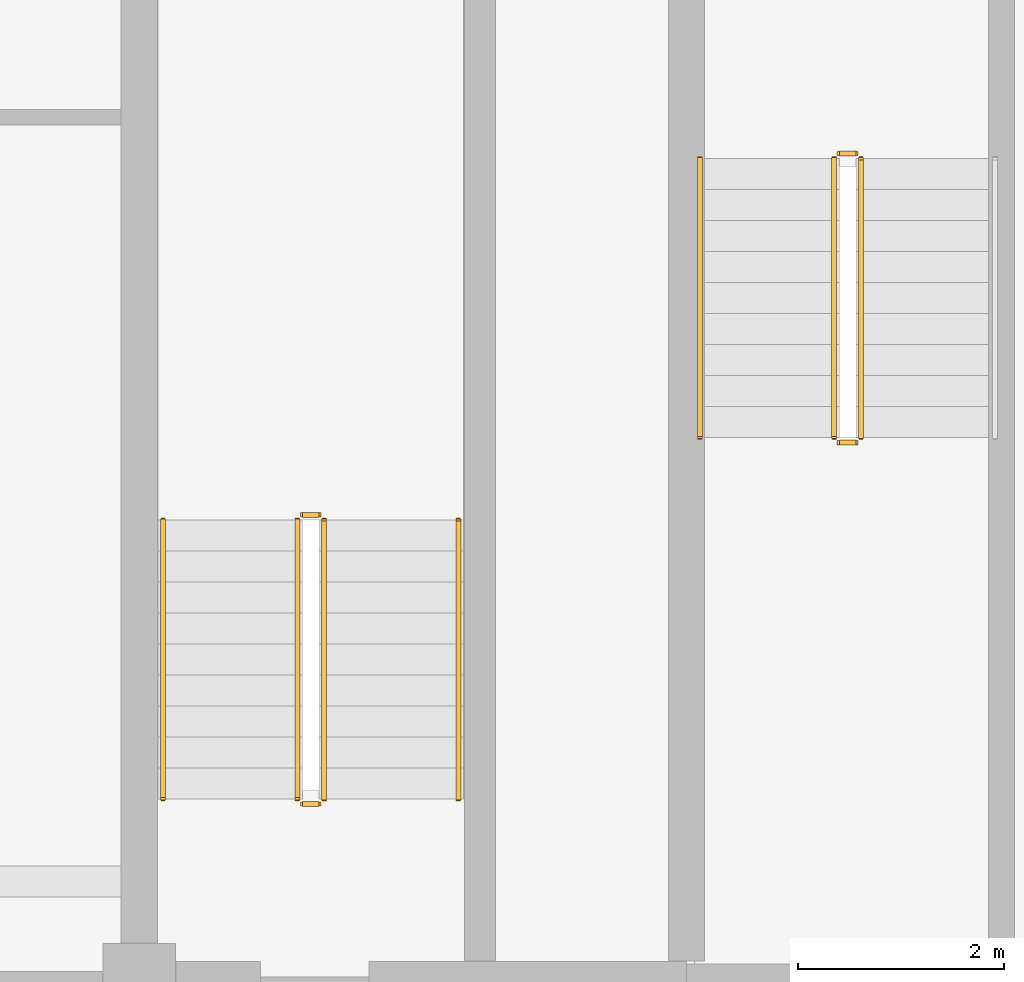
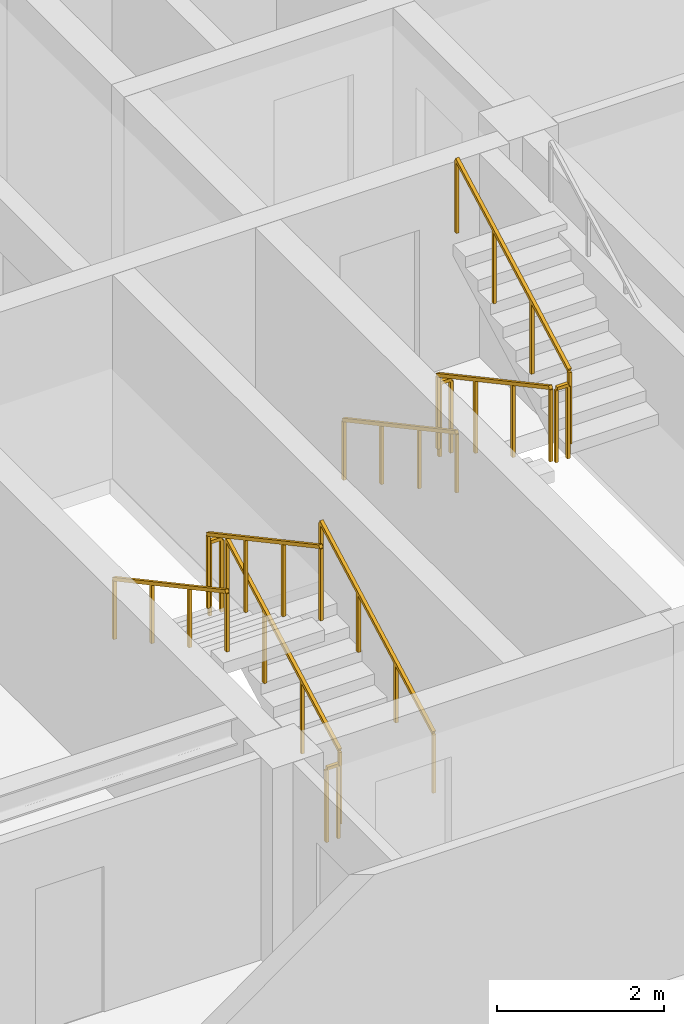
# One storey, part 8 of 11: 11 railings.
"""IFC4 building model written with IfcOpenShell, lengths in metres."""

import ifcopenshell
import ifcopenshell.guid

model = None  # the IFC model being written
_history = None  # IfcOwnerHistory: only IFC2X3 demands one
_inside = {}  # id of a spatial element -> (the spatial element, [elements in it])
_under = {}  # id of a project, library or spatial element -> (it, [spatial elements below it])
_declared = {}  # id of a project -> (the project, [libraries it declares])
_typed = {}  # id of a type object -> (the type object, [elements of that type])
_made_of = {}  # id of a material, layer set ... -> (it, [elements and type objects made of it])


def new_model(schema):
    """Start an empty IFC model of exactly this schema.

    Asked for "IFC4X3", IfcOpenShell would pick the latest addendum, in which some entities
    have other attributes; the version numbers below select the first issue.
    IFC2X3 requires an IfcOwnerHistory on every rooted entity: one is made here for all.
    """
    global model, _history
    if schema == "IFC4X3":
        model = ifcopenshell.file(schema_version=(4, 3, 0, 0))
    else:
        model = ifcopenshell.file(schema=schema)
    _inside.clear()
    _under.clear()
    _declared.clear()
    _typed.clear()
    _made_of.clear()
    _history = None
    if model.schema == "IFC2X3":
        org = make("IfcOrganization", Name="unknown")
        user = make(
            "IfcPersonAndOrganization",
            ThePerson=make("IfcPerson", FamilyName="unknown"),
            TheOrganization=org,
        )
        app = make(
            "IfcApplication",
            ApplicationDeveloper=org,
            Version="unknown",
            ApplicationFullName="unknown",
            ApplicationIdentifier="unknown",
        )
        _history = make(
            "IfcOwnerHistory",
            OwningUser=user,
            OwningApplication=app,
            ChangeAction="ADDED",
            CreationDate=0,
        )
    return model


def make(cls, **values):
    """One entity of the class cls with the attributes given. An attribute that is None is left unset."""
    return model.create_entity(
        cls, **{name: value for name, value in values.items() if value is not None}
    )


def rooted(cls, **values):
    """An entity with a GlobalId (a new one), such as an element, a storey or a relation."""
    return make(cls, GlobalId=ifcopenshell.guid.new(), OwnerHistory=_history, **values)


def si_unit(unit_type, name, prefix=None):
    """IfcSIUnit, for example si_unit("LENGTHUNIT", "METRE", prefix="MILLI")."""
    return make("IfcSIUnit", UnitType=unit_type, Prefix=prefix, Name=name)


def assignment(units):
    """IfcUnitAssignment: the units of a project."""
    return None if units is None else make("IfcUnitAssignment", Units=units)


def point(xyz):
    """IfcCartesianPoint."""
    return None if xyz is None else make("IfcCartesianPoint", Coordinates=xyz)


def direction(xyz):
    """IfcDirection."""
    return None if xyz is None else make("IfcDirection", DirectionRatios=xyz)


def frame(location, z_axis=None, x_axis=None):
    """IfcAxis2Placement3D, a coordinate frame: its origin and axes. An axis left out is left unset."""
    return make(
        "IfcAxis2Placement3D",
        Location=point(location),
        Axis=direction(z_axis),
        RefDirection=direction(x_axis),
    )


def frame_2d(location, x_axis=None):
    """IfcAxis2Placement2D, a coordinate frame in the plane: its origin and x axis."""
    return make(
        "IfcAxis2Placement2D", Location=point(location), RefDirection=direction(x_axis)
    )


def origin():
    """The frame at (0, 0, 0) with its axes left unset."""
    return frame((0.0, 0.0, 0.0))


def origin_2d():
    """The frame at (0, 0) in the plane with its x axis left unset."""
    return frame_2d((0.0, 0.0))


def place(relative_to, where):
    """IfcLocalPlacement: puts the frame where relative to a parent placement (None: the world)."""
    return make(
        "IfcLocalPlacement", PlacementRelTo=relative_to, RelativePlacement=where
    )


def context(
    kind, dimensions, precision=None, world=None, true_north=None, identifier=None
):
    """IfcGeometricRepresentationContext, for example the 3D "Model" context."""
    return make(
        "IfcGeometricRepresentationContext",
        ContextIdentifier=identifier,
        ContextType=kind,
        CoordinateSpaceDimension=dimensions,
        Precision=precision,
        WorldCoordinateSystem=world,
        TrueNorth=true_north,
    )


def subcontext(parent, identifier, kind, view, scale=None):
    """IfcGeometricRepresentationSubContext, for example "Body" below "Model"."""
    return make(
        "IfcGeometricRepresentationSubContext",
        ContextIdentifier=identifier,
        ContextType=kind,
        ParentContext=parent,
        TargetScale=scale,
        TargetView=view,
    )


def project(units=None, contexts=None):
    """IfcProject with its units and contexts."""
    return rooted(
        "IfcProject",
        Name="project",
        RepresentationContexts=contexts,
        UnitsInContext=assignment(units),
    )


def spatial(cls, under=None, at=None, **own):
    """A site, building, storey or space (cls), placed at a placement, below another one or the project."""
    s = rooted(cls, ObjectPlacement=at, **own)
    if under is not None:
        _under.setdefault(under.id(), (under, []))[1].append(s)
    return s


def profile(cls, at=None, kind="AREA", **sizes):
    """A parametric profile (cls). Its sizes go by their IFC names, for example OverallWidth=200.0."""
    return make(cls, ProfileType=kind, Position=at, **sizes)


def rectangle(**sizes):
    """IfcRectangleProfileDef."""
    return profile("IfcRectangleProfileDef", **sizes)


def extrude(swept, where, along, depth):
    """IfcExtrudedAreaSolid: the profile swept, set in the frame where, extruded along a direction by depth."""
    return make(
        "IfcExtrudedAreaSolid",
        SweptArea=swept,
        Position=where,
        ExtrudedDirection=direction(along),
        Depth=depth,
    )


def shape(context_of_items, identifier, shape_type, items):
    """IfcShapeRepresentation: the items that make up one representation, for example the "Body"."""
    return make(
        "IfcShapeRepresentation",
        ContextOfItems=context_of_items,
        RepresentationIdentifier=identifier,
        RepresentationType=shape_type,
        Items=items,
    )


def material(Name=None, Category=None):
    """IfcMaterial."""
    return make("IfcMaterial", Name=Name, Category=Category)


def made_of(thing, what):
    """Note that an element or type object is made of a material, layer set ...; save() writes the relation."""
    if what is not None:
        _made_of.setdefault(what.id(), (what, []))[1].append(thing)
    return thing


def type_object(cls, material=None, **own):
    """A type object (cls), such as IfcWallType, which elements share."""
    return made_of(rooted(cls, **own), material)


def element(
    cls,
    number,
    at=None,
    inside=None,
    cuts=None,
    type_object=None,
    material=None,
    context=None,
    identifier="Body",
    shape_type=None,
    held_by="IfcProductDefinitionShape",
    body=None,
    shapes=None,
    **own,
):
    """One element of the class cls, such as IfcWall. Its Tag is "e" and its number.

    at: its placement. inside: the storey or other place that contains it. cuts: it is an
    opening in that element (IfcRelVoidsElement). A single representation is given by context,
    identifier, shape_type and body (its items); several are given by shapes. held_by: the class
    of the entity that holds the representations. save() writes the other relations.
    """
    e = rooted(cls, Tag="e%d" % number, ObjectPlacement=at, **own)
    if body is not None:
        shapes = [shape(context, identifier, shape_type, body)]
    if shapes is not None:
        e.Representation = make(held_by, Representations=shapes)
    if inside is not None:
        _inside.setdefault(inside.id(), (inside, []))[1].append(e)
    if cuts is not None:
        rooted(
            "IfcRelVoidsElement", RelatingBuildingElement=cuts, RelatedOpeningElement=e
        )
    if type_object is not None:
        _typed.setdefault(type_object.id(), (type_object, []))[1].append(e)
    return made_of(e, material)


def aggregate(whole, parts):
    """IfcRelAggregates: a whole, such as a stair, and the parts it consists of."""
    return rooted("IfcRelAggregates", RelatingObject=whole, RelatedObjects=parts)


def save(model, path):
    """Write the relations noted so far, then the file.

    IfcRelAggregates (storeys below a building ...), IfcRelContainedInSpatialStructure (elements
    in a storey), IfcRelDefinesByType, IfcRelAssociatesMaterial and IfcRelDeclares: one each for
    every whole, place, type object, material and project.
    """
    for whole, parts in _under.values():
        aggregate(whole, parts)
    for where, things in _inside.values():
        rooted(
            "IfcRelContainedInSpatialStructure",
            RelatedElements=things,
            RelatingStructure=where,
        )
    for kind, things in _typed.values():
        rooted("IfcRelDefinesByType", RelatedObjects=things, RelatingType=kind)
    for what, things in _made_of.values():
        rooted("IfcRelAssociatesMaterial", RelatedObjects=things, RelatingMaterial=what)
    for by, libraries in _declared.values():
        rooted("IfcRelDeclares", RelatingContext=by, RelatedDefinitions=libraries)
    model.write(path)


model = new_model("IFC4")

# Units and contexts
model_context = context("Model", 3, precision=1e-05, world=origin(), true_north=direction((0.0, 1.0)))
body_context = subcontext(model_context, "Body", "Model", "MODEL_VIEW")
ifc_project = project(units=[si_unit("LENGTHUNIT", "METRE"), si_unit("AREAUNIT", "SQUARE_METRE"), si_unit("VOLUMEUNIT", "CUBIC_METRE"), si_unit("PLANEANGLEUNIT", "RADIAN"), si_unit("MASSUNIT", "GRAM", prefix="KILO")], contexts=[model_context])

# Site, building, storey
site_placement = place(None, origin())
site = spatial("IfcSite", under=ifc_project, at=site_placement, CompositionType="ELEMENT")
building_placement = place(site_placement, origin())
building = spatial("IfcBuilding", under=site, at=building_placement, Name="Zulmaris Gate Convention Tower", CompositionType="ELEMENT")
storey_placement = place(building_placement, frame((0.0, 0.0, 264.119873046875)))
storey = spatial("IfcBuildingStorey", under=building, at=storey_placement, Name="L70", CompositionType="ELEMENT", Elevation=264.119873046875)

# Railings
ifc_material_1 = material(Name="Painted Galvanised Steel", Category="steel")
railing_type_1 = type_object("IfcRailingType", Name="RL-STG-1150", PredefinedType="GUARDRAIL", material=ifc_material_1)
railing_1_placement = place(storey_placement, frame((-13.27001953125, -2.0, 0.16162109375)))
element("IfcRailing", 1, at=railing_1_placement, inside=storey, type_object=railing_type_1, Name="L70 ST-1 stair guard 1", PredefinedType="GUARDRAIL", context=body_context, shape_type="SweptSolid", body=[
    extrude(rectangle(XDim=0.048095703125, YDim=0.048095703125, at=origin_2d()), frame((0.0, 0.0, 1.076171875), z_axis=(0.0, -0.880499220447, 0.474047595492), x_axis=(1.0, 0.0, 0.0)), (0.0, 0.0, 1.0), 3.06640625),
    extrude(rectangle(XDim=0.0419921875, YDim=0.0419921875, at=origin_2d()), origin(), (0.0, 0.0, 1.0), 1.052001953125),
    extrude(rectangle(XDim=0.0419921875, YDim=0.0419921875, at=origin_2d()), frame((0.0, -0.89990234375, 0.484619140625)), (0.0, 0.0, 1.0), 1.052001953125),
    extrude(rectangle(XDim=0.0419921875, YDim=0.0419921875, at=origin_2d()), frame((0.0, -1.800048828125, 0.968994140625)), (0.0, 0.0, 1.0), 1.052001953125),
    extrude(rectangle(XDim=0.0419921875, YDim=0.0419921875, at=origin_2d()), frame((0.0, -2.699951171875, 1.45361328125)), (0.0, 0.0, 1.0), 1.052001953125),
])
railing_2_placement = place(storey_placement, frame((-13.219970703125, -4.75, 1.615234375)))
element("IfcRailing", 2, at=railing_2_placement, inside=storey, type_object=railing_type_1, Name="L70 ST-1 stair guard 2", PredefinedType="GUARDRAIL", context=body_context, shape_type="SweptSolid", body=[
    extrude(rectangle(XDim=0.048095703125, YDim=0.048095703125, at=origin_2d()), frame((0.0, 0.0, 1.076171875), z_axis=(1.0, 0.0, 0.0), x_axis=(0.0, 1.0, 0.0)), (0.0, 0.0, 1.0), 0.159912109375),
    extrude(rectangle(XDim=0.0419921875, YDim=0.0419921875, at=origin_2d()), origin(), (0.0, 0.0, 1.0), 1.052001953125),
    extrude(rectangle(XDim=0.0419921875, YDim=0.0419921875, at=origin_2d()), frame((0.159912109375, 0.0, 0.0)), (0.0, 0.0, 1.0), 1.052001953125),
])
railing_3_placement = place(storey_placement, frame((-13.010009765625, -4.699951171875, 1.776611328125)))
element("IfcRailing", 3, at=railing_3_placement, inside=storey, type_object=railing_type_1, Name="L70 ST-1 stair guard 3", PredefinedType="GUARDRAIL", context=body_context, shape_type="SweptSolid", body=[
    extrude(rectangle(XDim=0.048095703125, YDim=0.048095703125, at=origin_2d()), frame((0.0, 0.0, 1.076171875), z_axis=(0.0, 0.880499220447, 0.474047595492), x_axis=(-1.0, 0.0, 0.0)), (0.0, 0.0, 1.0), 3.06640625),
    extrude(rectangle(XDim=0.0419921875, YDim=0.0419921875, at=origin_2d()), origin(), (0.0, 0.0, 1.0), 1.052001953125),
    extrude(rectangle(XDim=0.0419921875, YDim=0.0419921875, at=origin_2d()), frame((0.0, 0.89990234375, 0.484619140625)), (0.0, 0.0, 1.0), 1.052001953125),
    extrude(rectangle(XDim=0.0419921875, YDim=0.0419921875, at=origin_2d()), frame((0.0, 1.800048828125, 0.968994140625)), (0.0, 0.0, 1.0), 1.052001953125),
    extrude(rectangle(XDim=0.0419921875, YDim=0.0419921875, at=origin_2d()), frame((0.0, 2.699951171875, 1.45361328125)), (0.0, 0.0, 1.0), 1.052001953125),
])
railing_4_placement = place(storey_placement, frame((-13.219970703125, -1.949951171875, 0.0)))
element("IfcRailing", 4, at=railing_4_placement, inside=storey, type_object=railing_type_1, Name="L70 ST-1 stair guard 4", PredefinedType="GUARDRAIL", context=body_context, shape_type="SweptSolid", body=[
    extrude(rectangle(XDim=0.048095703125, YDim=0.048095703125, at=origin_2d()), frame((0.0, 0.0, 1.076171875), z_axis=(1.0, 0.0, 0.0), x_axis=(0.0, 1.0, 0.0)), (0.0, 0.0, 1.0), 0.159912109375),
    extrude(rectangle(XDim=0.0419921875, YDim=0.0419921875, at=origin_2d()), origin(), (0.0, 0.0, 1.0), 1.052001953125),
    extrude(rectangle(XDim=0.0419921875, YDim=0.0419921875, at=origin_2d()), frame((0.159912109375, 0.0, 0.0)), (0.0, 0.0, 1.0), 1.052001953125),
])
railing_5_placement = place(storey_placement, frame((-18.2099609375, -8.199951171875, 0.16162109375)))
element("IfcRailing", 5, at=railing_5_placement, inside=storey, type_object=railing_type_1, Name="L70 ST-3 stair guard 1", PredefinedType="GUARDRAIL", context=body_context, shape_type="SweptSolid", body=[
    extrude(rectangle(XDim=0.048095703125, YDim=0.048095703125, at=origin_2d()), frame((0.0, 0.0, 1.076171875), z_axis=(0.0, 0.880499220447, 0.474047595492), x_axis=(-1.0, 0.0, 0.0)), (0.0, 0.0, 1.0), 3.06640625),
    extrude(rectangle(XDim=0.0419921875, YDim=0.0419921875, at=origin_2d()), origin(), (0.0, 0.0, 1.0), 1.052001953125),
    extrude(rectangle(XDim=0.0419921875, YDim=0.0419921875, at=origin_2d()), frame((0.0, 0.89990234375, 0.484619140625)), (0.0, 0.0, 1.0), 1.052001953125),
    extrude(rectangle(XDim=0.0419921875, YDim=0.0419921875, at=origin_2d()), frame((0.0, 1.800048828125, 0.968994140625)), (0.0, 0.0, 1.0), 1.052001953125),
    extrude(rectangle(XDim=0.0419921875, YDim=0.0419921875, at=origin_2d()), frame((0.0, 2.699951171875, 1.45361328125)), (0.0, 0.0, 1.0), 1.052001953125),
])
railing_6_placement = place(storey_placement, frame((-18.260009765625, -5.449951171875, 1.615234375)))
element("IfcRailing", 6, at=railing_6_placement, inside=storey, type_object=railing_type_1, Name="L70 ST-3 stair guard 2", PredefinedType="GUARDRAIL", context=body_context, shape_type="SweptSolid", body=[
    extrude(rectangle(XDim=0.048095703125, YDim=0.048095703125, at=origin_2d()), frame((0.0, 0.0, 1.076171875), z_axis=(-1.0, 0.0, 0.0), x_axis=(0.0, -1.0, 0.0)), (0.0, 0.0, 1.0), 0.159912109375),
    extrude(rectangle(XDim=0.0419921875, YDim=0.0419921875, at=origin_2d()), origin(), (0.0, 0.0, 1.0), 1.052001953125),
    extrude(rectangle(XDim=0.0419921875, YDim=0.0419921875, at=origin_2d()), frame((-0.159912109375, 0.0, 0.0)), (0.0, 0.0, 1.0), 1.052001953125),
])
railing_7_placement = place(storey_placement, frame((-18.469970703125, -5.5, 1.776611328125)))
element("IfcRailing", 7, at=railing_7_placement, inside=storey, type_object=railing_type_1, Name="L70 ST-3 stair guard 3", PredefinedType="GUARDRAIL", context=body_context, shape_type="SweptSolid", body=[
    extrude(rectangle(XDim=0.048095703125, YDim=0.048095703125, at=origin_2d()), frame((0.0, 0.0, 1.076171875), z_axis=(0.0, -0.880499220447, 0.474047595492), x_axis=(1.0, 0.0, 0.0)), (0.0, 0.0, 1.0), 3.06640625),
    extrude(rectangle(XDim=0.0419921875, YDim=0.0419921875, at=origin_2d()), origin(), (0.0, 0.0, 1.0), 1.052001953125),
    extrude(rectangle(XDim=0.0419921875, YDim=0.0419921875, at=origin_2d()), frame((0.0, -0.89990234375, 0.484619140625)), (0.0, 0.0, 1.0), 1.052001953125),
    extrude(rectangle(XDim=0.0419921875, YDim=0.0419921875, at=origin_2d()), frame((0.0, -1.800048828125, 0.968994140625)), (0.0, 0.0, 1.0), 1.052001953125),
    extrude(rectangle(XDim=0.0419921875, YDim=0.0419921875, at=origin_2d()), frame((0.0, -2.699951171875, 1.45361328125)), (0.0, 0.0, 1.0), 1.052001953125),
])
railing_8_placement = place(storey_placement, frame((-18.260009765625, -8.25, 0.0)))
element("IfcRailing", 8, at=railing_8_placement, inside=storey, type_object=railing_type_1, Name="L70 ST-3 stair guard 4", PredefinedType="GUARDRAIL", context=body_context, shape_type="SweptSolid", body=[
    extrude(rectangle(XDim=0.048095703125, YDim=0.048095703125, at=origin_2d()), frame((0.0, 0.0, 1.076171875), z_axis=(-1.0, 0.0, 0.0), x_axis=(0.0, -1.0, 0.0)), (0.0, 0.0, 1.0), 0.159912109375),
    extrude(rectangle(XDim=0.0419921875, YDim=0.0419921875, at=origin_2d()), origin(), (0.0, 0.0, 1.0), 1.052001953125),
    extrude(rectangle(XDim=0.0419921875, YDim=0.0419921875, at=origin_2d()), frame((-0.159912109375, 0.0, 0.0)), (0.0, 0.0, 1.0), 1.052001953125),
])
ifc_material_2 = material(Name="Brushed Stainless Steel", Category="steel")
railing_type_2 = type_object("IfcRailingType", Name="RL-STH-900", PredefinedType="HANDRAIL", material=ifc_material_2)
railing_9_placement = place(storey_placement, frame((-14.570068359375, -2.0, 0.16162109375)))
element("IfcRailing", 9, at=railing_9_placement, inside=storey, type_object=railing_type_2, Name="L70 ST-1 stair handrail 1", PredefinedType="HANDRAIL", context=body_context, shape_type="SweptSolid", body=[
    extrude(rectangle(XDim=0.048095703125, YDim=0.048095703125, at=origin_2d()), frame((0.0, 0.0, 0.8759765625), z_axis=(0.0, -0.880499220447, 0.474047595492), x_axis=(1.0, 0.0, 0.0)), (0.0, 0.0, 1.0), 3.06640625),
    extrude(rectangle(XDim=0.0419921875, YDim=0.0419921875, at=origin_2d()), origin(), (0.0, 0.0, 1.0), 0.851806640625),
    extrude(rectangle(XDim=0.0419921875, YDim=0.0419921875, at=origin_2d()), frame((0.0, -0.89990234375, 0.484619140625)), (0.0, 0.0, 1.0), 0.851806640625),
    extrude(rectangle(XDim=0.0419921875, YDim=0.0419921875, at=origin_2d()), frame((0.0, -1.800048828125, 0.968994140625)), (0.0, 0.0, 1.0), 0.851806640625),
    extrude(rectangle(XDim=0.0419921875, YDim=0.0419921875, at=origin_2d()), frame((0.0, -2.699951171875, 1.45361328125)), (0.0, 0.0, 1.0), 0.851806640625),
])
railing_10_placement = place(storey_placement, frame((-16.909912109375, -8.199951171875, 0.16162109375)))
element("IfcRailing", 10, at=railing_10_placement, inside=storey, type_object=railing_type_2, Name="L70 ST-3 stair handrail 1", PredefinedType="HANDRAIL", context=body_context, shape_type="SweptSolid", body=[
    extrude(rectangle(XDim=0.048095703125, YDim=0.048095703125, at=origin_2d()), frame((0.0, 0.0, 0.8759765625), z_axis=(0.0, 0.880499220447, 0.474047595492), x_axis=(-1.0, 0.0, 0.0)), (0.0, 0.0, 1.0), 3.06640625),
    extrude(rectangle(XDim=0.0419921875, YDim=0.0419921875, at=origin_2d()), origin(), (0.0, 0.0, 1.0), 0.851806640625),
    extrude(rectangle(XDim=0.0419921875, YDim=0.0419921875, at=origin_2d()), frame((0.0, 0.89990234375, 0.484619140625)), (0.0, 0.0, 1.0), 0.851806640625),
    extrude(rectangle(XDim=0.0419921875, YDim=0.0419921875, at=origin_2d()), frame((0.0, 1.800048828125, 0.968994140625)), (0.0, 0.0, 1.0), 0.851806640625),
    extrude(rectangle(XDim=0.0419921875, YDim=0.0419921875, at=origin_2d()), frame((0.0, 2.699951171875, 1.45361328125)), (0.0, 0.0, 1.0), 0.851806640625),
])
railing_11_placement = place(storey_placement, frame((-19.77001953125, -5.5, 1.776611328125)))
element("IfcRailing", 11, at=railing_11_placement, inside=storey, type_object=railing_type_2, Name="L70 ST-3 stair handrail 2", PredefinedType="HANDRAIL", context=body_context, shape_type="SweptSolid", body=[
    extrude(rectangle(XDim=0.048095703125, YDim=0.048095703125, at=origin_2d()), frame((0.0, 0.0, 0.8759765625), z_axis=(0.0, -0.880499220447, 0.474047595492), x_axis=(1.0, 0.0, 0.0)), (0.0, 0.0, 1.0), 3.06640625),
    extrude(rectangle(XDim=0.0419921875, YDim=0.0419921875, at=origin_2d()), origin(), (0.0, 0.0, 1.0), 0.851806640625),
    extrude(rectangle(XDim=0.0419921875, YDim=0.0419921875, at=origin_2d()), frame((0.0, -0.89990234375, 0.484619140625)), (0.0, 0.0, 1.0), 0.851806640625),
    extrude(rectangle(XDim=0.0419921875, YDim=0.0419921875, at=origin_2d()), frame((0.0, -1.800048828125, 0.968994140625)), (0.0, 0.0, 1.0), 0.851806640625),
    extrude(rectangle(XDim=0.0419921875, YDim=0.0419921875, at=origin_2d()), frame((0.0, -2.699951171875, 1.45361328125)), (0.0, 0.0, 1.0), 0.851806640625),
])

save(model, "model.ifc")
